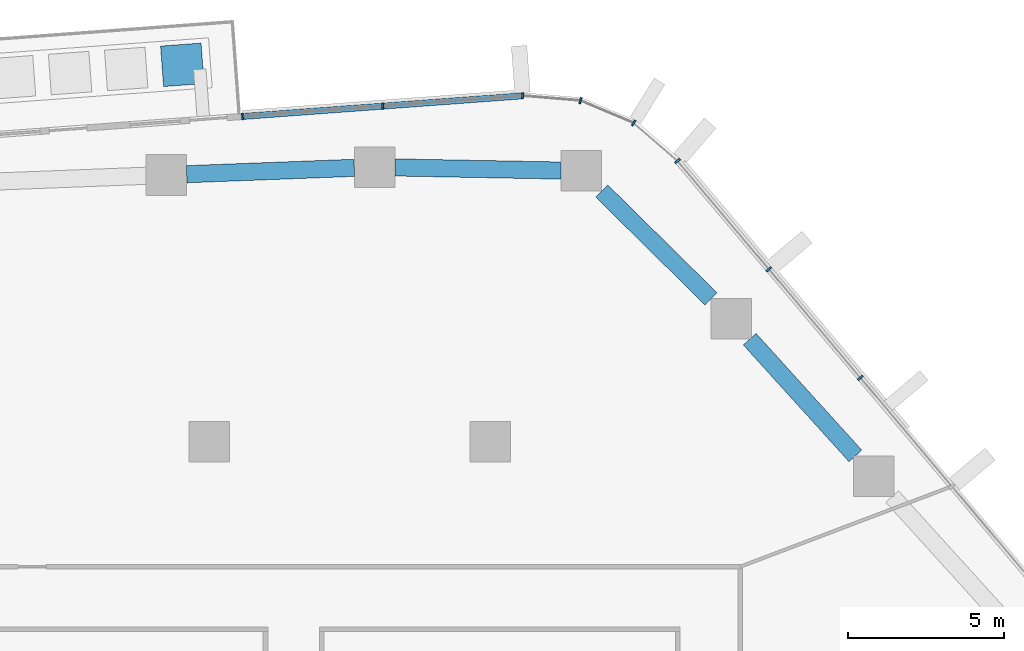
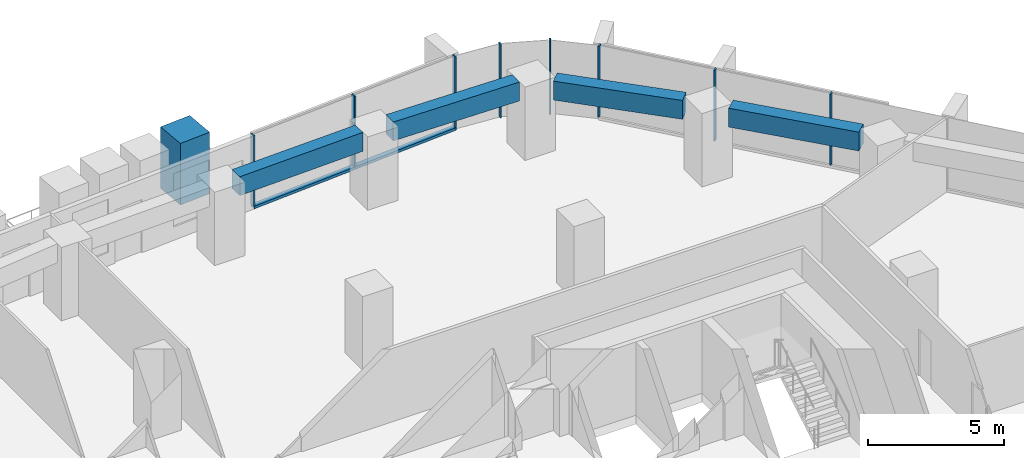
# One storey, part 9 of 23: 10 members, 4 beams, 3 elements without a shape of their own.
"""IFC4 building model written with IfcOpenShell, lengths in metres."""

from ifc_helpers import new_model, si_unit, direction, frame, origin, origin_2d, place, context, subcontext, project, spatial, rectangle, extrude, material, layer, layer_set, material_profile, profile_set, type_object, element, aggregate, save


model = new_model("IFC4")

# Units and contexts
model_context = context("Model", 3, precision=1e-05, world=origin(), true_north=direction((0.0, 1.0)))
body_context = subcontext(model_context, "Body", "Model", "MODEL_VIEW")
ifc_project = project(units=[si_unit("LENGTHUNIT", "METRE"), si_unit("AREAUNIT", "SQUARE_METRE"), si_unit("VOLUMEUNIT", "CUBIC_METRE"), si_unit("PLANEANGLEUNIT", "RADIAN"), si_unit("MASSUNIT", "GRAM", prefix="KILO")], contexts=[model_context])

# Site, building, storey
site_placement = place(None, origin())
site = spatial("IfcSite", under=ifc_project, at=site_placement, CompositionType="ELEMENT")
building_placement = place(site_placement, origin())
building = spatial("IfcBuilding", under=site, at=building_placement, Name="Dongbaek Canopy Tower", CompositionType="ELEMENT")
storey_placement = place(building_placement, frame((0.0, 0.0, 135.89990234375)))
storey = spatial("IfcBuildingStorey", under=building, at=storey_placement, Name="L30", CompositionType="ELEMENT", Elevation=135.89990234375)

# Curtain wall, members
ifc_material_1 = material(Name="Aluminium 6063-T6 pale anodised", Category="aluminium")
ifc_layer = layer(ifc_material_1, 0.199951171875)
ifc_layer_set = layer_set([ifc_layer], Name="CW-1 unitised tower curtain wall")
curtain_wall_type = type_object("IfcCurtainWallType", Name="CW-1 unitised tower curtain wall", PredefinedType="NOTDEFINED", material=ifc_layer_set)
curtain_wall_1_placement = place(storey_placement, origin())
curtain_wall_1 = element("IfcCurtainWall", 1, at=curtain_wall_1_placement, inside=storey, type_object=curtain_wall_type, Name="CW-1 curtain wall F0.1", PredefinedType="NOTDEFINED")
ifc_material_2 = material(Name="Aluminium 6063-T6 pale anodised", Category="aluminium")
ifc_material_profile_1 = material_profile(ifc_material_2, rectangle(XDim=0.199951171875, YDim=0.06005859375, at=origin_2d()), Name="CW-1 mullion 60 x 200")
ifc_profile_set_1 = profile_set([ifc_material_profile_1], Name="Aluminium 6063-T6 pale anodised")
member_type_1 = type_object("IfcMemberType", Name="CW-1 mullion 60 x 200", PredefinedType="MULLION", material=ifc_profile_set_1)
member_1_placement = place(storey_placement, frame((20.85205078125, 20.0498046875, 0.1201171875), z_axis=(0.0, 0.0, 1.0), x_axis=(0.764439348936, 0.644695650519, 0.0)))
member_1 = element("IfcMember", 2, at=member_1_placement, type_object=member_type_1, Name="CW-1 mullion F0.1.4", PredefinedType="MULLION", context=body_context, shape_type="SweptSolid", body=[
    extrude(rectangle(XDim=0.199951171875, YDim=0.06005859375, at=origin_2d()), origin(), (0.0, 0.0, 1.0), 3.179931640625),
])
member_2_placement = place(storey_placement, frame((17.921142578125, 23.525390625, 0.1201171875), z_axis=(0.0, 0.0, 1.0), x_axis=(0.764439348936, 0.644695650519, 0.0)))
member_2 = element("IfcMember", 3, at=member_2_placement, type_object=member_type_1, Name="CW-1 mullion F0.1.5", PredefinedType="MULLION", context=body_context, shape_type="SweptSolid", body=[
    extrude(rectangle(XDim=0.199951171875, YDim=0.06005859375, at=origin_2d()), origin(), (0.0, 0.0, 1.0), 3.179931640625),
])
member_3_placement = place(storey_placement, frame((14.9951171875, 26.994873046875, 0.1201171875), z_axis=(0.0, 0.0, 1.0), x_axis=(0.764439348936, 0.644695650519, 0.0)))
member_3 = element("IfcMember", 4, at=member_3_placement, type_object=member_type_1, Name="CW-1 mullion F0.1.6", PredefinedType="MULLION", context=body_context, shape_type="SweptSolid", body=[
    extrude(rectangle(XDim=0.199951171875, YDim=0.06005859375, at=origin_2d()), origin(), (0.0, 0.0, 1.0), 3.179931640625),
])
aggregate(curtain_wall_1, [member_1, member_2, member_3])

curtain_wall_2_placement = place(storey_placement, origin())
curtain_wall_2 = element("IfcCurtainWall", 5, at=curtain_wall_2_placement, inside=storey, type_object=curtain_wall_type, Name="CW-1 curtain wall K1.1", PredefinedType="NOTDEFINED")
member_4_placement = place(storey_placement, frame((13.591064453125, 28.208740234375, 0.0), z_axis=(0.0, 0.0, 1.0), x_axis=(0.527440952784, 0.849591690947, 0.0)))
member_4 = element("IfcMember", 6, at=member_4_placement, type_object=member_type_1, Name="CW-1 mullion K1.1.2", PredefinedType="MULLION", context=body_context, shape_type="SweptSolid", body=[
    extrude(rectangle(XDim=0.199951171875, YDim=0.06005859375, at=origin_2d()), origin(), (0.0, 0.0, 1.0), 3.300048828125),
])
member_5_placement = place(storey_placement, frame((11.8876953125, 28.925537109375, 0.0), z_axis=(0.0, 0.0, 1.0), x_axis=(0.238673896326, 0.971099774077, 0.0)))
member_5 = element("IfcMember", 7, at=member_5_placement, type_object=member_type_1, Name="CW-1 mullion K1.1.3", PredefinedType="MULLION", context=body_context, shape_type="SweptSolid", body=[
    extrude(rectangle(XDim=0.199951171875, YDim=0.06005859375, at=origin_2d()), origin(), (0.0, 0.0, 1.0), 3.300048828125),
])
member_6_placement = place(storey_placement, frame((10.0380859375, 29.08056640625, 0.0), z_axis=(0.0, 0.0, 1.0), x_axis=(0.08360953384, 0.996498593, 0.0)))
member_6 = element("IfcMember", 8, at=member_6_placement, type_object=member_type_1, Name="CW-1 mullion K1.1.4", PredefinedType="MULLION", context=body_context, shape_type="SweptSolid", body=[
    extrude(rectangle(XDim=0.199951171875, YDim=0.06005859375, at=origin_2d()), origin(), (0.0, 0.0, 1.0), 3.300048828125),
])
aggregate(curtain_wall_2, [member_4, member_5, member_6])

curtain_wall_3_placement = place(storey_placement, origin())
curtain_wall_3 = element("IfcCurtainWall", 9, at=curtain_wall_3_placement, inside=storey, type_object=curtain_wall_type, Name="CW-1 curtain wall F1.1", PredefinedType="NOTDEFINED")
member_7_placement = place(storey_placement, frame((5.555419921875, 28.750244140625, 0.1201171875), z_axis=(0.0, 0.0, 1.0), x_axis=(-0.073519152761, 0.997293805344, 0.0)))
member_7 = element("IfcMember", 10, at=member_7_placement, type_object=member_type_1, Name="CW-1 mullion F1.1.2", PredefinedType="MULLION", context=body_context, shape_type="SweptSolid", body=[
    extrude(rectangle(XDim=0.199951171875, YDim=0.06005859375, at=origin_2d()), origin(), (0.0, 0.0, 1.0), 3.179931640625),
])
member_8_placement = place(storey_placement, frame((1.064697265625, 28.419189453125, 0.1201171875), z_axis=(0.0, 0.0, 1.0), x_axis=(-0.073519152761, 0.997293805344, 0.0)))
member_8 = element("IfcMember", 11, at=member_8_placement, type_object=member_type_1, Name="CW-1 mullion F1.1.3", PredefinedType="MULLION", context=body_context, shape_type="SweptSolid", body=[
    extrude(rectangle(XDim=0.199951171875, YDim=0.06005859375, at=origin_2d()), origin(), (0.0, 0.0, 1.0), 3.179931640625),
])
ifc_material_3 = material(Name="Aluminium 6063-T6 pale anodised", Category="aluminium")
ifc_material_profile_2 = material_profile(ifc_material_3, rectangle(XDim=0.199951171875, YDim=0.1201171875, at=origin_2d()), Name="CW-1 transom 120 x 200")
ifc_profile_set_2 = profile_set([ifc_material_profile_2], Name="Aluminium 6063-T6 pale anodised")
member_type_2 = type_object("IfcMemberType", Name="CW-1 transom 120 x 200", PredefinedType="USERDEFINED", material=ifc_profile_set_2)
member_9_placement = place(storey_placement, frame((10.0380859375, 29.08056640625, 0.06005859375), z_axis=(-0.997294857601, -0.073504877411, 0.0), x_axis=(0.073504877411, -0.997294857601, 0.0)))
member_9 = element("IfcMember", 12, at=member_9_placement, type_object=member_type_2, Name="CW-1 transom F1.1.1", ObjectType="TRANSOM", PredefinedType="USERDEFINED", context=body_context, shape_type="SweptSolid", body=[
    extrude(rectangle(XDim=0.199951171875, YDim=0.1201171875, at=origin_2d()), origin(), (0.0, 0.0, 1.0), 8.997802734375),
])
aggregate(curtain_wall_3, [member_7, member_8, member_9])

# Beams
ifc_material_4 = material(Name="Concrete C80", Category="concrete")
ifc_material_profile_3 = material_profile(ifc_material_4, rectangle(XDim=0.550048828125, YDim=0.85009765625, at=origin_2d()), Name="RC EDGE BEAM 550x850 C80")
ifc_profile_set_3 = profile_set([ifc_material_profile_3], Name="Concrete C80")
beam_type = type_object("IfcBeamType", Name="RC EDGE BEAM 550x850 C80", PredefinedType="BEAM", material=ifc_profile_set_3)
beam_1_placement = place(storey_placement, frame((-0.721923828125, 26.56884765625, 2.875), z_axis=(0.999275939063, 0.03804730751, 0.0), x_axis=(-0.03804730751, 0.999275939063, 0.0)))
element("IfcBeam", 13, at=beam_1_placement, inside=storey, type_object=beam_type, Name="EDGEBEAM:L30:15", PredefinedType="BEAM", context=body_context, shape_type="SweptSolid", body=[
    extrude(rectangle(XDim=0.550048828125, YDim=0.85009765625, at=origin_2d()), origin(), (0.0, 0.0, 1.0), 5.370849609375),
])
beam_2_placement = place(storey_placement, frame((5.945068359375, 26.785888671875, 2.875), z_axis=(0.999824893163, -0.018713177504, 0.0), x_axis=(0.018713177504, 0.999824893163, 0.0)))
element("IfcBeam", 14, at=beam_2_placement, inside=storey, type_object=beam_type, Name="EDGEBEAM:L30:16", PredefinedType="BEAM", context=body_context, shape_type="SweptSolid", body=[
    extrude(rectangle(XDim=0.550048828125, YDim=0.85009765625, at=origin_2d()), origin(), (0.0, 0.0, 1.0), 5.322998046875),
])
beam_3_placement = place(storey_placement, frame((12.56689453125, 26.032470703125, 2.875), z_axis=(0.711707070228, -0.702476366995, 0.0), x_axis=(0.702476366995, 0.711707070228, 0.0)))
element("IfcBeam", 15, at=beam_3_placement, inside=storey, type_object=beam_type, Name="EDGEBEAM:L30:17", PredefinedType="BEAM", context=body_context, shape_type="SweptSolid", body=[
    extrude(rectangle(XDim=0.550048828125, YDim=0.85009765625, at=origin_2d()), origin(), (0.0, 0.0, 1.0), 4.91943359375),
])
beam_4_placement = place(storey_placement, frame((17.306640625, 21.284912109375, 2.875), z_axis=(0.671331632341, -0.741157094966, 0.0), x_axis=(0.741157094966, 0.671331632341, 0.0)))
element("IfcBeam", 16, at=beam_4_placement, inside=storey, type_object=beam_type, Name="EDGEBEAM:L30:18", PredefinedType="BEAM", context=body_context, shape_type="SweptSolid", body=[
    extrude(rectangle(XDim=0.550048828125, YDim=0.85009765625, at=origin_2d()), origin(), (0.0, 0.0, 1.0), 5.041748046875),
])

# Member
ifc_material_5 = material(Name="Concrete C40/50 planter mass with planting", Category="concrete")
ifc_material_profile_4 = material_profile(ifc_material_5, rectangle(XDim=1.300048828125, YDim=1.300048828125, at=origin_2d()), Name="Terrace PLANTER shrub mass 1300 x 1300")
ifc_profile_set_4 = profile_set([ifc_material_profile_4], Name="Concrete C40/50 planter mass with planting")
member_type_3 = type_object("IfcMemberType", Name="Terrace PLANTER shrub mass 1300 x 1300", PredefinedType="USERDEFINED", material=ifc_profile_set_4)
member_10_placement = place(storey_placement, frame((-0.862548828125, 30.07177734375, 0.420166015625), z_axis=(0.0, 0.0, 1.0), x_axis=(-0.073519152761, 0.997293805344, 0.0)))
element("IfcMember", 17, at=member_10_placement, inside=storey, type_object=member_type_3, Name="Planter shrubs L30 1.1", ObjectType="PLANTER", PredefinedType="USERDEFINED", context=body_context, shape_type="SweptSolid", body=[
    extrude(rectangle(XDim=1.300048828125, YDim=1.300048828125, at=origin_2d()), origin(), (0.0, 0.0, 1.0), 2.77001953125),
])

save(model, "model.ifc")
